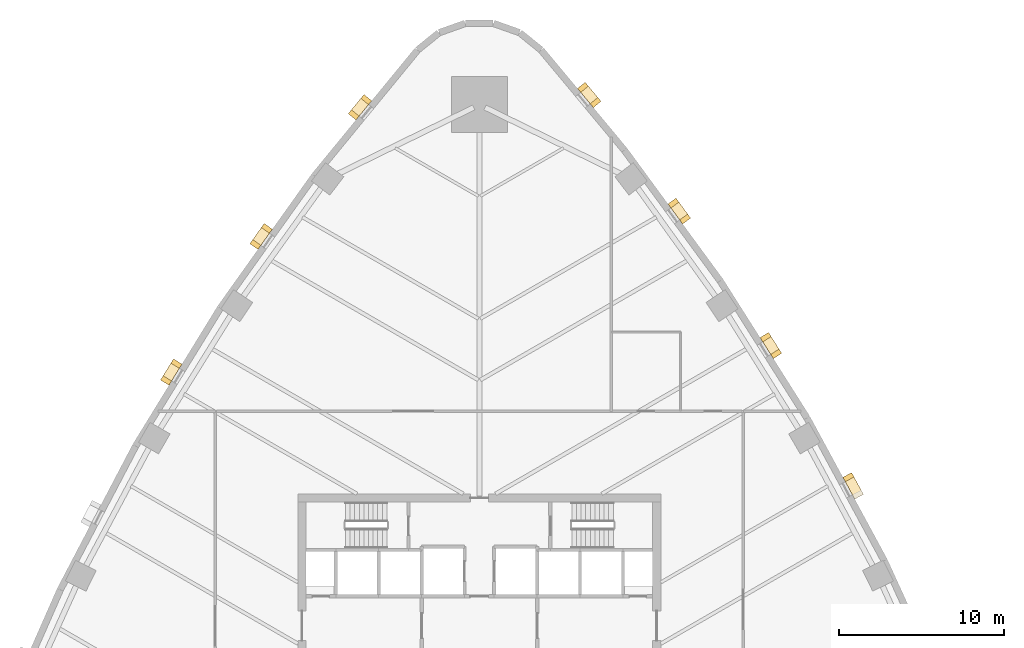
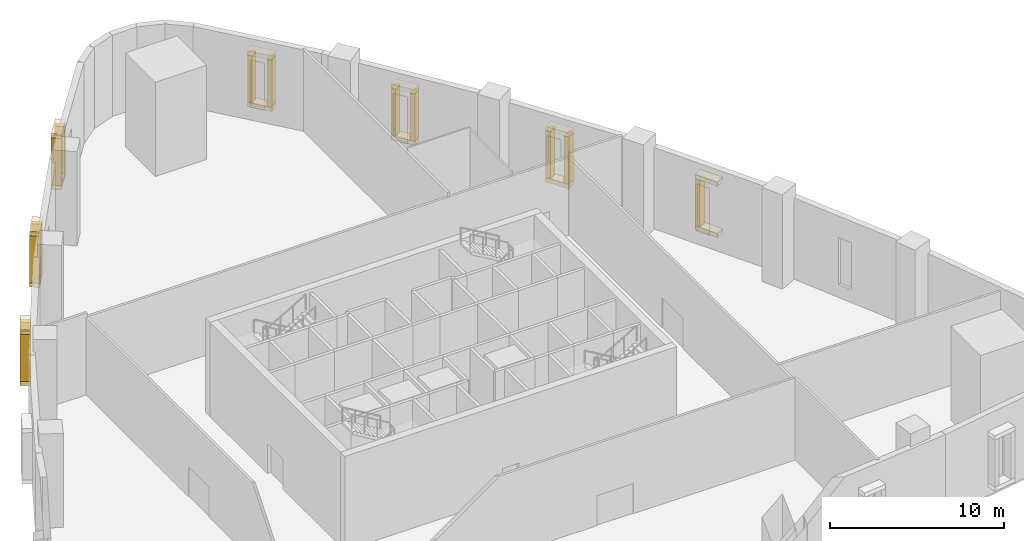
# One storey, part 10 of 11: 27 coverings.
"""IFC4 building model written with IfcOpenShell, lengths in metres."""

from ifc_helpers import new_model, si_unit, direction, frame, origin, origin_2d, place, context, subcontext, project, spatial, rectangle, extrude, material, layer, layer_set, type_object, element, save


model = new_model("IFC4")

# Units and contexts
model_context = context("Model", 3, precision=1e-05, world=origin(), true_north=direction((0.0, 1.0)))
body_context = subcontext(model_context, "Body", "Model", "MODEL_VIEW")
ifc_project = project(units=[si_unit("LENGTHUNIT", "METRE"), si_unit("AREAUNIT", "SQUARE_METRE"), si_unit("VOLUMEUNIT", "CUBIC_METRE"), si_unit("PLANEANGLEUNIT", "RADIAN"), si_unit("MASSUNIT", "GRAM", prefix="KILO")], contexts=[model_context])

# Site, building, storey
site_placement = place(None, origin())
site = spatial("IfcSite", under=ifc_project, at=site_placement, CompositionType="ELEMENT")
building_placement = place(site_placement, origin())
building = spatial("IfcBuilding", under=site, at=building_placement, Name="Sierra Prisma Convention Tower", CompositionType="ELEMENT")
storey_placement = place(building_placement, frame((0.0, 0.0, 22.199951171875)))
storey = spatial("IfcBuildingStorey", under=building, at=storey_placement, Name="L03", CompositionType="ELEMENT", Elevation=22.199951171875)

# Coverings
ifc_material = material(Name="Lime plaster, terracotta pigment", Category="masonry")
ifc_layer = layer(ifc_material, 0.300048828125)
ifc_layer_set = layer_set([ifc_layer], Name="Plaster reveal frame")
covering_type = type_object("IfcCoveringType", Name="Plaster reveal frame", PredefinedType="CLADDING", material=ifc_layer_set)
covering_placement = place(storey_placement, frame((22.3701171875, 9.01025390625, 0.89990234375), z_axis=(0.0, 0.0, 1.0), x_axis=(0.476256619921, -0.879306335688, 0.0)))
element("IfcCovering", 1, at=covering_placement, inside=storey, type_object=covering_type, Name="Window reveal jamb", PredefinedType="CLADDING", context=body_context, shape_type="SweptSolid", body=[
    extrude(rectangle(XDim=0.300048828125, YDim=0.60009765625, at=origin_2d()), origin(), (0.0, 0.0, 1.0), 3.300048828125),
])
for number, where, z_axis, x_axis, name in (
    (2, (22.65576171875, 8.482666015625, 4.2001953125), (0.0, 0.0, 1.0), (0.476256619921, -0.879306335688, 0.0), "Window reveal head"),
    (3, (22.65576171875, 8.482666015625, 0.60009765625), (0.0, 0.0, 1.0), (0.476256619921, -0.879306335688, 0.0), "Window reveal sill"),
):
    element("IfcCovering", number, at=place(storey_placement, frame(where, z_axis=z_axis, x_axis=x_axis)), inside=storey, type_object=covering_type, Name=name, PredefinedType="CLADDING", context=body_context, shape_type="SweptSolid", body=[
        extrude(rectangle(XDim=1.5, YDim=0.60009765625, at=origin_2d()), origin(), (0.0, 0.0, 1.0), 0.300048828125),
    ])
for number, where, z_axis, x_axis, name in (
    (4, (17.3486328125, 17.49658203125, 0.89990234375), (0.0, 0.0, 1.0), (0.534914305344, -0.844906317847, 0.0), "Window reveal jamb"),
    (5, (17.990478515625, 16.48291015625, 0.89990234375), (0.0, 0.0, 1.0), (0.534914305344, -0.844906317847, 0.0), "Window reveal jamb"),
):
    element("IfcCovering", number, at=place(storey_placement, frame(where, z_axis=z_axis, x_axis=x_axis)), inside=storey, type_object=covering_type, Name=name, PredefinedType="CLADDING", context=body_context, shape_type="SweptSolid", body=[
        extrude(rectangle(XDim=0.300048828125, YDim=0.60009765625, at=origin_2d()), origin(), (0.0, 0.0, 1.0), 3.300048828125),
    ])
for number, where, z_axis, x_axis, name in (
    (6, (17.669677734375, 16.98974609375, 4.2001953125), (0.0, 0.0, 1.0), (0.534914305344, -0.844906317847, 0.0), "Window reveal head"),
    (7, (17.669677734375, 16.98974609375, 0.60009765625), (0.0, 0.0, 1.0), (0.534914305344, -0.844906317847, 0.0), "Window reveal sill"),
):
    element("IfcCovering", number, at=place(storey_placement, frame(where, z_axis=z_axis, x_axis=x_axis)), inside=storey, type_object=covering_type, Name=name, PredefinedType="CLADDING", context=body_context, shape_type="SweptSolid", body=[
        extrude(rectangle(XDim=1.5, YDim=0.60009765625, at=origin_2d()), origin(), (0.0, 0.0, 1.0), 0.300048828125),
    ])
for number, where, z_axis, x_axis, name in (
    (8, (11.76220703125, 25.622314453125, 0.89990234375), (0.0, 0.0, 1.0), (0.591098501398, -0.806599381133, 0.0), "Window reveal jamb"),
    (9, (12.471435546875, 24.654541015625, 0.89990234375), (0.0, 0.0, 1.0), (0.591098501398, -0.806599381133, 0.0), "Window reveal jamb"),
):
    element("IfcCovering", number, at=place(storey_placement, frame(where, z_axis=z_axis, x_axis=x_axis)), inside=storey, type_object=covering_type, Name=name, PredefinedType="CLADDING", context=body_context, shape_type="SweptSolid", body=[
        extrude(rectangle(XDim=0.300048828125, YDim=0.60009765625, at=origin_2d()), origin(), (0.0, 0.0, 1.0), 3.300048828125),
    ])
for number, where, z_axis, x_axis, name in (
    (10, (12.116943359375, 25.138427734375, 4.2001953125), (0.0, 0.0, 1.0), (0.591098501398, -0.806599381133, 0.0), "Window reveal head"),
    (11, (12.116943359375, 25.138427734375, 0.60009765625), (0.0, 0.0, 1.0), (0.591098501398, -0.806599381133, 0.0), "Window reveal sill"),
):
    element("IfcCovering", number, at=place(storey_placement, frame(where, z_axis=z_axis, x_axis=x_axis)), inside=storey, type_object=covering_type, Name=name, PredefinedType="CLADDING", context=body_context, shape_type="SweptSolid", body=[
        extrude(rectangle(XDim=1.5, YDim=0.60009765625, at=origin_2d()), origin(), (0.0, 0.0, 1.0), 0.300048828125),
    ])
for number, where, z_axis, x_axis, name in (
    (12, (6.2763671875, 32.63818359375, 0.89990234375), (0.0, 0.0, 1.0), (0.639358485546, -0.768908789753, 0.0), "Window reveal jamb"),
    (13, (7.04345703125, 31.71533203125, 0.89990234375), (0.0, 0.0, 1.0), (0.639358485546, -0.768908789753, 0.0), "Window reveal jamb"),
):
    element("IfcCovering", number, at=place(storey_placement, frame(where, z_axis=z_axis, x_axis=x_axis)), inside=storey, type_object=covering_type, Name=name, PredefinedType="CLADDING", context=body_context, shape_type="SweptSolid", body=[
        extrude(rectangle(XDim=0.300048828125, YDim=0.60009765625, at=origin_2d()), origin(), (0.0, 0.0, 1.0), 3.300048828125),
    ])
for number, where, z_axis, x_axis, name in (
    (14, (6.659912109375, 32.1767578125, 4.2001953125), (0.0, 0.0, 1.0), (0.639358485546, -0.768908789753, 0.0), "Window reveal head"),
    (15, (6.659912109375, 32.1767578125, 0.60009765625), (0.0, 0.0, 1.0), (0.639358485546, -0.768908789753, 0.0), "Window reveal sill"),
):
    element("IfcCovering", number, at=place(storey_placement, frame(where, z_axis=z_axis, x_axis=x_axis)), inside=storey, type_object=covering_type, Name=name, PredefinedType="CLADDING", context=body_context, shape_type="SweptSolid", body=[
        extrude(rectangle(XDim=1.5, YDim=0.60009765625, at=origin_2d()), origin(), (0.0, 0.0, 1.0), 0.300048828125),
    ])
for number, where, z_axis, x_axis, name in (
    (16, (-7.616943359375, 30.96728515625, 0.89990234375), (0.0, 0.0, 1.0), (0.634115316669, 0.773238491777, 0.0), "Window reveal jamb"),
    (17, (-6.856201171875, 31.895263671875, 0.89990234375), (0.0, 0.0, 1.0), (0.634115316669, 0.773238491777, 0.0), "Window reveal jamb"),
):
    element("IfcCovering", number, at=place(storey_placement, frame(where, z_axis=z_axis, x_axis=x_axis)), inside=storey, type_object=covering_type, Name=name, PredefinedType="CLADDING", context=body_context, shape_type="SweptSolid", body=[
        extrude(rectangle(XDim=0.300048828125, YDim=0.60009765625, at=origin_2d()), origin(), (0.0, 0.0, 1.0), 3.300048828125),
    ])
for number, where, z_axis, x_axis, name in (
    (18, (-7.236572265625, 31.431396484375, 4.2001953125), (0.0, 0.0, 1.0), (0.634115316669, 0.773238491777, 0.0), "Window reveal head"),
    (19, (-7.236572265625, 31.431396484375, 0.60009765625), (0.0, 0.0, 1.0), (0.634115316669, 0.773238491777, 0.0), "Window reveal sill"),
):
    element("IfcCovering", number, at=place(storey_placement, frame(where, z_axis=z_axis, x_axis=x_axis)), inside=storey, type_object=covering_type, Name=name, PredefinedType="CLADDING", context=body_context, shape_type="SweptSolid", body=[
        extrude(rectangle(XDim=1.5, YDim=0.60009765625, at=origin_2d()), origin(), (0.0, 0.0, 1.0), 0.300048828125),
    ])
for number, where, z_axis, x_axis, name in (
    (20, (-13.576416015625, 23.111083984375, 0.89990234375), (0.0, 0.0, 1.0), (0.58007190198, 0.814565275797, 0.0), "Window reveal jamb"),
    (21, (-12.88037109375, 24.088623046875, 0.89990234375), (0.0, 0.0, 1.0), (0.58007190198, 0.814565275797, 0.0), "Window reveal jamb"),
):
    element("IfcCovering", number, at=place(storey_placement, frame(where, z_axis=z_axis, x_axis=x_axis)), inside=storey, type_object=covering_type, Name=name, PredefinedType="CLADDING", context=body_context, shape_type="SweptSolid", body=[
        extrude(rectangle(XDim=0.300048828125, YDim=0.60009765625, at=origin_2d()), origin(), (0.0, 0.0, 1.0), 3.300048828125),
    ])
for number, where, z_axis, x_axis, name in (
    (22, (-13.228515625, 23.599853515625, 4.2001953125), (0.0, 0.0, 1.0), (0.58007190198, 0.814565275797, 0.0), "Window reveal head"),
    (23, (-13.228515625, 23.599853515625, 0.60009765625), (0.0, 0.0, 1.0), (0.58007190198, 0.814565275797, 0.0), "Window reveal sill"),
):
    element("IfcCovering", number, at=place(storey_placement, frame(where, z_axis=z_axis, x_axis=x_axis)), inside=storey, type_object=covering_type, Name=name, PredefinedType="CLADDING", context=body_context, shape_type="SweptSolid", body=[
        extrude(rectangle(XDim=1.5, YDim=0.60009765625, at=origin_2d()), origin(), (0.0, 0.0, 1.0), 0.300048828125),
    ])
for number, where, z_axis, x_axis, name in (
    (24, (-18.988037109375, 14.867919921875, 0.89990234375), (0.0, 0.0, 1.0), (0.523373314454, 0.852103499416, 0.0), "Window reveal jamb"),
    (25, (-18.360107421875, 15.890380859375, 0.89990234375), (0.0, 0.0, 1.0), (0.523373314454, 0.852103499416, 0.0), "Window reveal jamb"),
):
    element("IfcCovering", number, at=place(storey_placement, frame(where, z_axis=z_axis, x_axis=x_axis)), inside=storey, type_object=covering_type, Name=name, PredefinedType="CLADDING", context=body_context, shape_type="SweptSolid", body=[
        extrude(rectangle(XDim=0.300048828125, YDim=0.60009765625, at=origin_2d()), origin(), (0.0, 0.0, 1.0), 3.300048828125),
    ])
for number, where, z_axis, x_axis, name in (
    (26, (-18.674072265625, 15.379150390625, 4.2001953125), (0.0, 0.0, 1.0), (0.523373314454, 0.852103499416, 0.0), "Window reveal head"),
    (27, (-18.674072265625, 15.379150390625, 0.60009765625), (0.0, 0.0, 1.0), (0.523373314454, 0.852103499416, 0.0), "Window reveal sill"),
):
    element("IfcCovering", number, at=place(storey_placement, frame(where, z_axis=z_axis, x_axis=x_axis)), inside=storey, type_object=covering_type, Name=name, PredefinedType="CLADDING", context=body_context, shape_type="SweptSolid", body=[
        extrude(rectangle(XDim=1.5, YDim=0.60009765625, at=origin_2d()), origin(), (0.0, 0.0, 1.0), 0.300048828125),
    ])

save(model, "model.ifc")
